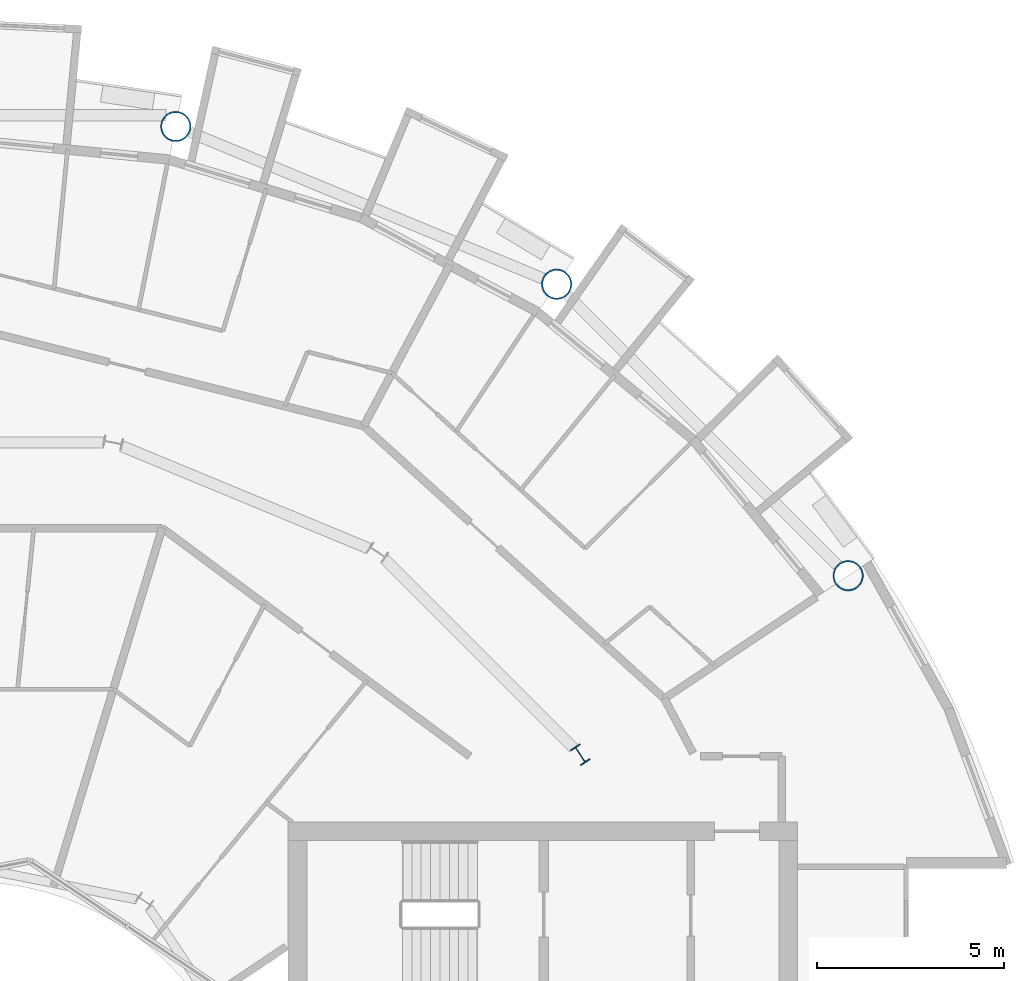
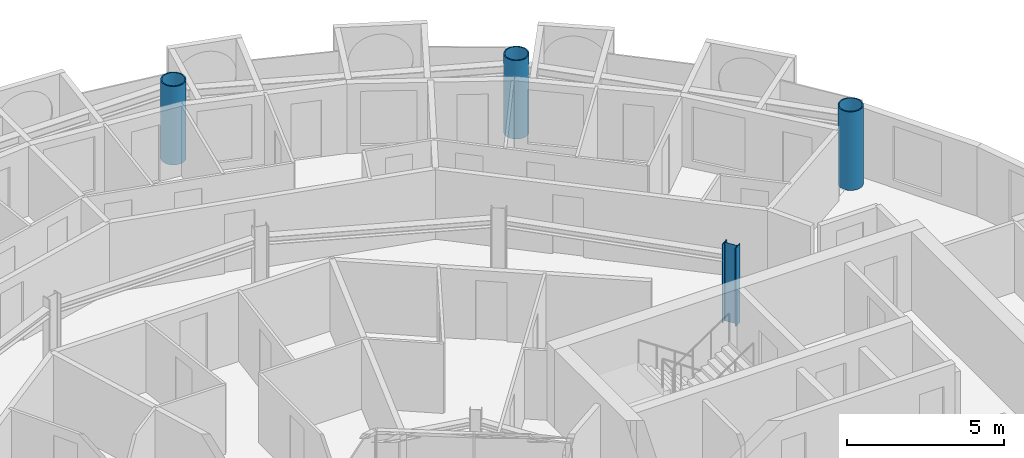
# One storey, part 4 of 26: 4 columns.
"""IFC4 building model written with IfcOpenShell, lengths in metres."""

import ifcopenshell
import ifcopenshell.guid

model = None  # the IFC model being written
_history = None  # IfcOwnerHistory: only IFC2X3 demands one
_inside = {}  # id of a spatial element -> (the spatial element, [elements in it])
_under = {}  # id of a project, library or spatial element -> (it, [spatial elements below it])
_declared = {}  # id of a project -> (the project, [libraries it declares])
_typed = {}  # id of a type object -> (the type object, [elements of that type])
_made_of = {}  # id of a material, layer set ... -> (it, [elements and type objects made of it])


def new_model(schema):
    """Start an empty IFC model of exactly this schema.

    Asked for "IFC4X3", IfcOpenShell would pick the latest addendum, in which some entities
    have other attributes; the version numbers below select the first issue.
    IFC2X3 requires an IfcOwnerHistory on every rooted entity: one is made here for all.
    """
    global model, _history
    if schema == "IFC4X3":
        model = ifcopenshell.file(schema_version=(4, 3, 0, 0))
    else:
        model = ifcopenshell.file(schema=schema)
    _inside.clear()
    _under.clear()
    _declared.clear()
    _typed.clear()
    _made_of.clear()
    _history = None
    if model.schema == "IFC2X3":
        org = make("IfcOrganization", Name="unknown")
        user = make(
            "IfcPersonAndOrganization",
            ThePerson=make("IfcPerson", FamilyName="unknown"),
            TheOrganization=org,
        )
        app = make(
            "IfcApplication",
            ApplicationDeveloper=org,
            Version="unknown",
            ApplicationFullName="unknown",
            ApplicationIdentifier="unknown",
        )
        _history = make(
            "IfcOwnerHistory",
            OwningUser=user,
            OwningApplication=app,
            ChangeAction="ADDED",
            CreationDate=0,
        )
    return model


def make(cls, **values):
    """One entity of the class cls with the attributes given. An attribute that is None is left unset."""
    return model.create_entity(
        cls, **{name: value for name, value in values.items() if value is not None}
    )


def rooted(cls, **values):
    """An entity with a GlobalId (a new one), such as an element, a storey or a relation."""
    return make(cls, GlobalId=ifcopenshell.guid.new(), OwnerHistory=_history, **values)


def si_unit(unit_type, name, prefix=None):
    """IfcSIUnit, for example si_unit("LENGTHUNIT", "METRE", prefix="MILLI")."""
    return make("IfcSIUnit", UnitType=unit_type, Prefix=prefix, Name=name)


def assignment(units):
    """IfcUnitAssignment: the units of a project."""
    return None if units is None else make("IfcUnitAssignment", Units=units)


def point(xyz):
    """IfcCartesianPoint."""
    return None if xyz is None else make("IfcCartesianPoint", Coordinates=xyz)


def direction(xyz):
    """IfcDirection."""
    return None if xyz is None else make("IfcDirection", DirectionRatios=xyz)


def frame(location, z_axis=None, x_axis=None):
    """IfcAxis2Placement3D, a coordinate frame: its origin and axes. An axis left out is left unset."""
    return make(
        "IfcAxis2Placement3D",
        Location=point(location),
        Axis=direction(z_axis),
        RefDirection=direction(x_axis),
    )


def frame_2d(location, x_axis=None):
    """IfcAxis2Placement2D, a coordinate frame in the plane: its origin and x axis."""
    return make(
        "IfcAxis2Placement2D", Location=point(location), RefDirection=direction(x_axis)
    )


def origin():
    """The frame at (0, 0, 0) with its axes left unset."""
    return frame((0.0, 0.0, 0.0))


def origin_2d():
    """The frame at (0, 0) in the plane with its x axis left unset."""
    return frame_2d((0.0, 0.0))


def place(relative_to, where):
    """IfcLocalPlacement: puts the frame where relative to a parent placement (None: the world)."""
    return make(
        "IfcLocalPlacement", PlacementRelTo=relative_to, RelativePlacement=where
    )


def context(
    kind, dimensions, precision=None, world=None, true_north=None, identifier=None
):
    """IfcGeometricRepresentationContext, for example the 3D "Model" context."""
    return make(
        "IfcGeometricRepresentationContext",
        ContextIdentifier=identifier,
        ContextType=kind,
        CoordinateSpaceDimension=dimensions,
        Precision=precision,
        WorldCoordinateSystem=world,
        TrueNorth=true_north,
    )


def subcontext(parent, identifier, kind, view, scale=None):
    """IfcGeometricRepresentationSubContext, for example "Body" below "Model"."""
    return make(
        "IfcGeometricRepresentationSubContext",
        ContextIdentifier=identifier,
        ContextType=kind,
        ParentContext=parent,
        TargetScale=scale,
        TargetView=view,
    )


def project(units=None, contexts=None):
    """IfcProject with its units and contexts."""
    return rooted(
        "IfcProject",
        Name="project",
        RepresentationContexts=contexts,
        UnitsInContext=assignment(units),
    )


def spatial(cls, under=None, at=None, **own):
    """A site, building, storey or space (cls), placed at a placement, below another one or the project."""
    s = rooted(cls, ObjectPlacement=at, **own)
    if under is not None:
        _under.setdefault(under.id(), (under, []))[1].append(s)
    return s


def profile(cls, at=None, kind="AREA", **sizes):
    """A parametric profile (cls). Its sizes go by their IFC names, for example OverallWidth=200.0."""
    return make(cls, ProfileType=kind, Position=at, **sizes)


def hollow_circle(**sizes):
    """IfcCircleHollowProfileDef."""
    return profile("IfcCircleHollowProfileDef", **sizes)


def i_section(**sizes):
    """IfcIShapeProfileDef."""
    return profile("IfcIShapeProfileDef", **sizes)


def extrude(swept, where, along, depth):
    """IfcExtrudedAreaSolid: the profile swept, set in the frame where, extruded along a direction by depth."""
    return make(
        "IfcExtrudedAreaSolid",
        SweptArea=swept,
        Position=where,
        ExtrudedDirection=direction(along),
        Depth=depth,
    )


def shape(context_of_items, identifier, shape_type, items):
    """IfcShapeRepresentation: the items that make up one representation, for example the "Body"."""
    return make(
        "IfcShapeRepresentation",
        ContextOfItems=context_of_items,
        RepresentationIdentifier=identifier,
        RepresentationType=shape_type,
        Items=items,
    )


def material(Name=None, Category=None):
    """IfcMaterial."""
    return make("IfcMaterial", Name=Name, Category=Category)


def material_profile(
    of_material, cross_section, Name=None, Category=None, Priority=None
):
    """IfcMaterialProfile: a cross section and its material."""
    return make(
        "IfcMaterialProfile",
        Name=Name,
        Material=of_material,
        Profile=cross_section,
        Priority=Priority,
        Category=Category,
    )


def profile_set(profiles, Name=None, composite=None):
    """IfcMaterialProfileSet."""
    return make(
        "IfcMaterialProfileSet",
        Name=Name,
        MaterialProfiles=profiles,
        CompositeProfile=composite,
    )


def made_of(thing, what):
    """Note that an element or type object is made of a material, layer set ...; save() writes the relation."""
    if what is not None:
        _made_of.setdefault(what.id(), (what, []))[1].append(thing)
    return thing


def type_object(cls, material=None, **own):
    """A type object (cls), such as IfcWallType, which elements share."""
    return made_of(rooted(cls, **own), material)


def element(
    cls,
    number,
    at=None,
    inside=None,
    cuts=None,
    type_object=None,
    material=None,
    context=None,
    identifier="Body",
    shape_type=None,
    held_by="IfcProductDefinitionShape",
    body=None,
    shapes=None,
    **own,
):
    """One element of the class cls, such as IfcWall. Its Tag is "e" and its number.

    at: its placement. inside: the storey or other place that contains it. cuts: it is an
    opening in that element (IfcRelVoidsElement). A single representation is given by context,
    identifier, shape_type and body (its items); several are given by shapes. held_by: the class
    of the entity that holds the representations. save() writes the other relations.
    """
    e = rooted(cls, Tag="e%d" % number, ObjectPlacement=at, **own)
    if body is not None:
        shapes = [shape(context, identifier, shape_type, body)]
    if shapes is not None:
        e.Representation = make(held_by, Representations=shapes)
    if inside is not None:
        _inside.setdefault(inside.id(), (inside, []))[1].append(e)
    if cuts is not None:
        rooted(
            "IfcRelVoidsElement", RelatingBuildingElement=cuts, RelatedOpeningElement=e
        )
    if type_object is not None:
        _typed.setdefault(type_object.id(), (type_object, []))[1].append(e)
    return made_of(e, material)


def aggregate(whole, parts):
    """IfcRelAggregates: a whole, such as a stair, and the parts it consists of."""
    return rooted("IfcRelAggregates", RelatingObject=whole, RelatedObjects=parts)


def save(model, path):
    """Write the relations noted so far, then the file.

    IfcRelAggregates (storeys below a building ...), IfcRelContainedInSpatialStructure (elements
    in a storey), IfcRelDefinesByType, IfcRelAssociatesMaterial and IfcRelDeclares: one each for
    every whole, place, type object, material and project.
    """
    for whole, parts in _under.values():
        aggregate(whole, parts)
    for where, things in _inside.values():
        rooted(
            "IfcRelContainedInSpatialStructure",
            RelatedElements=things,
            RelatingStructure=where,
        )
    for kind, things in _typed.values():
        rooted("IfcRelDefinesByType", RelatedObjects=things, RelatingType=kind)
    for what, things in _made_of.values():
        rooted("IfcRelAssociatesMaterial", RelatedObjects=things, RelatingMaterial=what)
    for by, libraries in _declared.values():
        rooted("IfcRelDeclares", RelatingContext=by, RelatedDefinitions=libraries)
    model.write(path)


model = new_model("IFC4")

# Units and contexts
model_context = context("Model", 3, precision=1e-05, world=origin(), true_north=direction((0.0, 1.0)))
body_context = subcontext(model_context, "Body", "Model", "MODEL_VIEW")
ifc_project = project(units=[si_unit("LENGTHUNIT", "METRE"), si_unit("AREAUNIT", "SQUARE_METRE"), si_unit("VOLUMEUNIT", "CUBIC_METRE"), si_unit("PLANEANGLEUNIT", "RADIAN"), si_unit("MASSUNIT", "GRAM", prefix="KILO")], contexts=[model_context])

# Site, building, storey
site_placement = place(None, origin())
site = spatial("IfcSite", under=ifc_project, at=site_placement, CompositionType="ELEMENT")
building_placement = place(site_placement, origin())
building = spatial("IfcBuilding", under=site, at=building_placement, Name="Maasbend Ring Residences", CompositionType="ELEMENT")
storey_placement = place(building_placement, frame((0.0, 0.0, 154.35009765625)))
storey = spatial("IfcBuildingStorey", under=building, at=storey_placement, Name="L44", CompositionType="ELEMENT", Elevation=154.35009765625)

# Columns
ifc_material_1 = material(Name="Composite concrete-filled steel tube S460NH / C80/95", Category="concrete")
ifc_material_profile_1 = material_profile(ifc_material_1, hollow_circle(Radius=0.406494140625, WallThickness=0.0400390625, at=origin_2d()), Name="Composite tube column CHS 813x40")
ifc_profile_set_1 = profile_set([ifc_material_profile_1], Name="Composite concrete-filled steel tube S460NH / C80/95")
column_type_1 = type_object("IfcColumnType", Name="Composite tube column CHS 813x40", PredefinedType="COLUMN", material=ifc_profile_set_1)
for number, where, z_axis, x_axis, name in (
    (1, (23.447509765625, 15.6669921875, 0.0), (0.0, 0.0, 1.0), (1.0, 0.0, 0.0), "Outer column R2"),
    (2, (15.6669921875, 23.447509765625, 0.0), (0.0, 0.0, 1.0), (1.0, 0.0, 0.0), "Outer column R3"),
    (3, (5.50146484375, 27.658203125, 0.0), (0.0, 0.0, 1.0), (1.0, 0.0, 0.0), "Outer column R4"),
):
    element("IfcColumn", number, at=place(storey_placement, frame(where, z_axis=z_axis, x_axis=x_axis)), inside=storey, type_object=column_type_1, Name=name, PredefinedType="COLUMN", context=body_context, shape_type="SweptSolid", body=[
        extrude(hollow_circle(Radius=0.406494140625, WallThickness=0.0400390625, at=origin_2d()), origin(), (0.0, 0.0, 1.0), 3.0498046875),
    ])
ifc_material_2 = material(Name="Steel S355J2", Category="steel")
ifc_material_profile_2 = material_profile(ifc_material_2, i_section(OverallWidth=0.300048828125, OverallDepth=0.5, WebThickness=0.014404296875, FlangeThickness=0.028076171875, FilletRadius=0.027099609375, at=origin_2d()), Name="HEB 500")
ifc_profile_set_2 = profile_set([ifc_material_profile_2], Name="Steel S355J2")
column_type_2 = type_object("IfcColumnType", Name="Steel column HEB 500", PredefinedType="COLUMN", material=ifc_profile_set_2)
column_placement = place(storey_placement, frame((16.296875, 10.88916015625, 0.0), z_axis=(0.0, 0.0, 1.0), x_axis=(0.831469612303, 0.55557023302, 0.0)))
element("IfcColumn", 4, at=column_placement, inside=storey, type_object=column_type_2, Name="Corridor ring column R2", PredefinedType="COLUMN", context=body_context, shape_type="SweptSolid", body=[
    extrude(i_section(OverallWidth=0.300048828125, OverallDepth=0.5, WebThickness=0.014404296875, FlangeThickness=0.028076171875, FilletRadius=0.027099609375, at=origin_2d()), origin(), (0.0, 0.0, 1.0), 3.0498046875),
])

save(model, "model.ifc")
